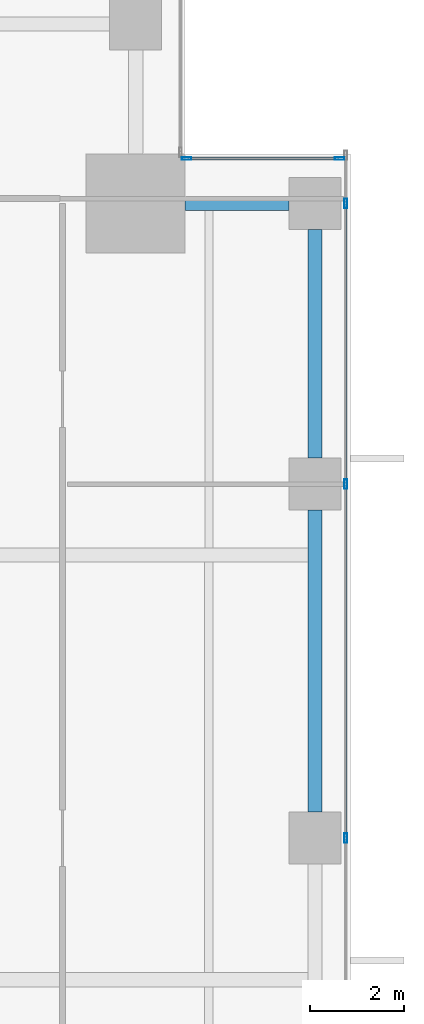
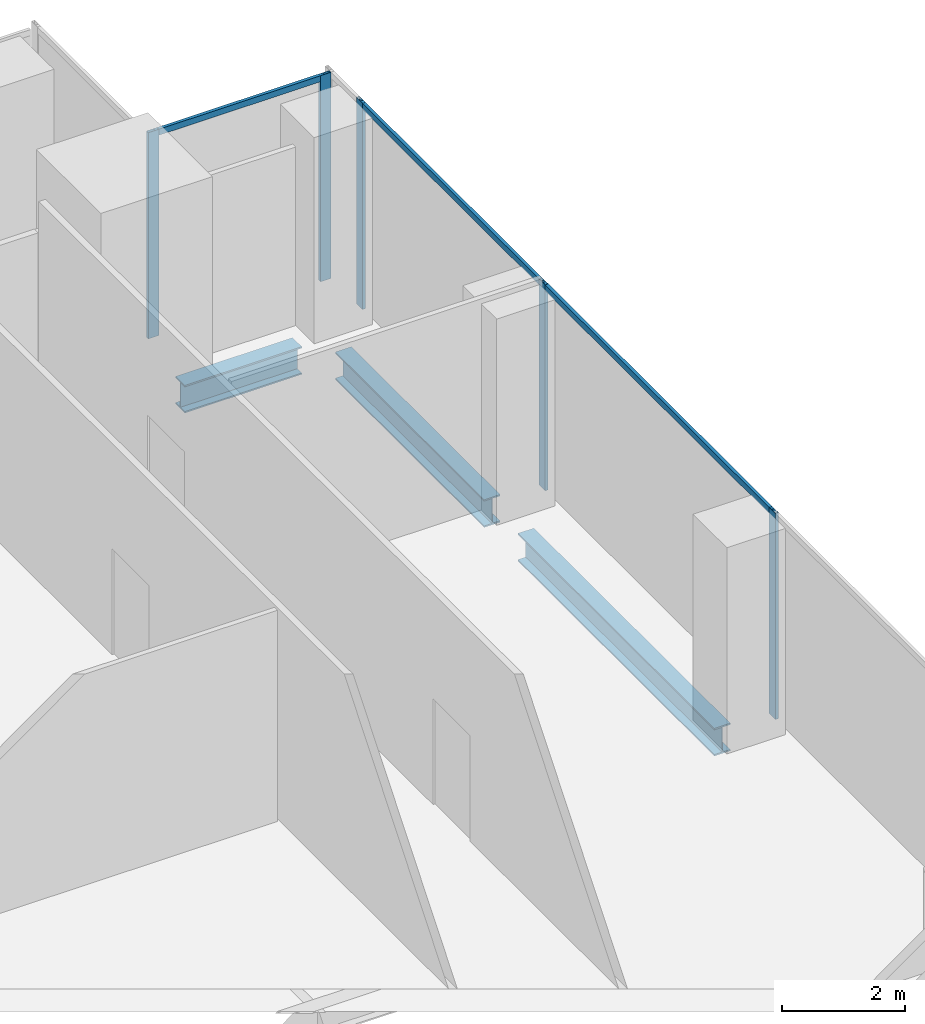
# One storey, part 19 of 34: 8 members, 3 beams, 2 elements without a shape of their own.
"""IFC4 building model written with IfcOpenShell, lengths in metres."""

import ifcopenshell
import ifcopenshell.guid

model = None  # the IFC model being written
_history = None  # IfcOwnerHistory: only IFC2X3 demands one
_inside = {}  # id of a spatial element -> (the spatial element, [elements in it])
_under = {}  # id of a project, library or spatial element -> (it, [spatial elements below it])
_declared = {}  # id of a project -> (the project, [libraries it declares])
_typed = {}  # id of a type object -> (the type object, [elements of that type])
_made_of = {}  # id of a material, layer set ... -> (it, [elements and type objects made of it])


def new_model(schema):
    """Start an empty IFC model of exactly this schema.

    Asked for "IFC4X3", IfcOpenShell would pick the latest addendum, in which some entities
    have other attributes; the version numbers below select the first issue.
    IFC2X3 requires an IfcOwnerHistory on every rooted entity: one is made here for all.
    """
    global model, _history
    if schema == "IFC4X3":
        model = ifcopenshell.file(schema_version=(4, 3, 0, 0))
    else:
        model = ifcopenshell.file(schema=schema)
    _inside.clear()
    _under.clear()
    _declared.clear()
    _typed.clear()
    _made_of.clear()
    _history = None
    if model.schema == "IFC2X3":
        org = make("IfcOrganization", Name="unknown")
        user = make(
            "IfcPersonAndOrganization",
            ThePerson=make("IfcPerson", FamilyName="unknown"),
            TheOrganization=org,
        )
        app = make(
            "IfcApplication",
            ApplicationDeveloper=org,
            Version="unknown",
            ApplicationFullName="unknown",
            ApplicationIdentifier="unknown",
        )
        _history = make(
            "IfcOwnerHistory",
            OwningUser=user,
            OwningApplication=app,
            ChangeAction="ADDED",
            CreationDate=0,
        )
    return model


def make(cls, **values):
    """One entity of the class cls with the attributes given. An attribute that is None is left unset."""
    return model.create_entity(
        cls, **{name: value for name, value in values.items() if value is not None}
    )


def rooted(cls, **values):
    """An entity with a GlobalId (a new one), such as an element, a storey or a relation."""
    return make(cls, GlobalId=ifcopenshell.guid.new(), OwnerHistory=_history, **values)


def si_unit(unit_type, name, prefix=None):
    """IfcSIUnit, for example si_unit("LENGTHUNIT", "METRE", prefix="MILLI")."""
    return make("IfcSIUnit", UnitType=unit_type, Prefix=prefix, Name=name)


def assignment(units):
    """IfcUnitAssignment: the units of a project."""
    return None if units is None else make("IfcUnitAssignment", Units=units)


def point(xyz):
    """IfcCartesianPoint."""
    return None if xyz is None else make("IfcCartesianPoint", Coordinates=xyz)


def direction(xyz):
    """IfcDirection."""
    return None if xyz is None else make("IfcDirection", DirectionRatios=xyz)


def frame(location, z_axis=None, x_axis=None):
    """IfcAxis2Placement3D, a coordinate frame: its origin and axes. An axis left out is left unset."""
    return make(
        "IfcAxis2Placement3D",
        Location=point(location),
        Axis=direction(z_axis),
        RefDirection=direction(x_axis),
    )


def frame_2d(location, x_axis=None):
    """IfcAxis2Placement2D, a coordinate frame in the plane: its origin and x axis."""
    return make(
        "IfcAxis2Placement2D", Location=point(location), RefDirection=direction(x_axis)
    )


def origin():
    """The frame at (0, 0, 0) with its axes left unset."""
    return frame((0.0, 0.0, 0.0))


def origin_2d():
    """The frame at (0, 0) in the plane with its x axis left unset."""
    return frame_2d((0.0, 0.0))


def place(relative_to, where):
    """IfcLocalPlacement: puts the frame where relative to a parent placement (None: the world)."""
    return make(
        "IfcLocalPlacement", PlacementRelTo=relative_to, RelativePlacement=where
    )


def context(
    kind, dimensions, precision=None, world=None, true_north=None, identifier=None
):
    """IfcGeometricRepresentationContext, for example the 3D "Model" context."""
    return make(
        "IfcGeometricRepresentationContext",
        ContextIdentifier=identifier,
        ContextType=kind,
        CoordinateSpaceDimension=dimensions,
        Precision=precision,
        WorldCoordinateSystem=world,
        TrueNorth=true_north,
    )


def subcontext(parent, identifier, kind, view, scale=None):
    """IfcGeometricRepresentationSubContext, for example "Body" below "Model"."""
    return make(
        "IfcGeometricRepresentationSubContext",
        ContextIdentifier=identifier,
        ContextType=kind,
        ParentContext=parent,
        TargetScale=scale,
        TargetView=view,
    )


def project(units=None, contexts=None):
    """IfcProject with its units and contexts."""
    return rooted(
        "IfcProject",
        Name="project",
        RepresentationContexts=contexts,
        UnitsInContext=assignment(units),
    )


def spatial(cls, under=None, at=None, **own):
    """A site, building, storey or space (cls), placed at a placement, below another one or the project."""
    s = rooted(cls, ObjectPlacement=at, **own)
    if under is not None:
        _under.setdefault(under.id(), (under, []))[1].append(s)
    return s


def profile(cls, at=None, kind="AREA", **sizes):
    """A parametric profile (cls). Its sizes go by their IFC names, for example OverallWidth=200.0."""
    return make(cls, ProfileType=kind, Position=at, **sizes)


def hollow_rectangle(**sizes):
    """IfcRectangleHollowProfileDef."""
    return profile("IfcRectangleHollowProfileDef", **sizes)


def i_section(**sizes):
    """IfcIShapeProfileDef."""
    return profile("IfcIShapeProfileDef", **sizes)


def extrude(swept, where, along, depth):
    """IfcExtrudedAreaSolid: the profile swept, set in the frame where, extruded along a direction by depth."""
    return make(
        "IfcExtrudedAreaSolid",
        SweptArea=swept,
        Position=where,
        ExtrudedDirection=direction(along),
        Depth=depth,
    )


def shape(context_of_items, identifier, shape_type, items):
    """IfcShapeRepresentation: the items that make up one representation, for example the "Body"."""
    return make(
        "IfcShapeRepresentation",
        ContextOfItems=context_of_items,
        RepresentationIdentifier=identifier,
        RepresentationType=shape_type,
        Items=items,
    )


def source(mapping_origin, context_of_items, identifier, shape_type, items):
    """IfcRepresentationMap: a shape defined once, which mapped items show again and again."""
    return make(
        "IfcRepresentationMap",
        MappingOrigin=mapping_origin,
        MappedRepresentation=shape(context_of_items, identifier, shape_type, items),
    )


def transform(
    local_origin,
    x_axis=None,
    y_axis=None,
    z_axis=None,
    scale=None,
    scale2=None,
    scale3=None,
    uniform=True,
):
    """IfcCartesianTransformationOperator3D, or its non-uniform kind. x_axis, y_axis, z_axis: its Axis1, 2, 3."""
    if uniform:
        return make(
            "IfcCartesianTransformationOperator3D",
            Axis1=direction(x_axis),
            Axis2=direction(y_axis),
            LocalOrigin=point(local_origin),
            Scale=scale,
            Axis3=direction(z_axis),
        )
    return make(
        "IfcCartesianTransformationOperator3DnonUniform",
        Axis1=direction(x_axis),
        Axis2=direction(y_axis),
        LocalOrigin=point(local_origin),
        Scale=scale,
        Axis3=direction(z_axis),
        Scale2=scale2,
        Scale3=scale3,
    )


def mapped(mapping_source, mapping_target):
    """IfcMappedItem: shows the shape of a source again, moved by a transform."""
    return make(
        "IfcMappedItem", MappingSource=mapping_source, MappingTarget=mapping_target
    )


def material(Name=None, Category=None):
    """IfcMaterial."""
    return make("IfcMaterial", Name=Name, Category=Category)


def material_profile(
    of_material, cross_section, Name=None, Category=None, Priority=None
):
    """IfcMaterialProfile: a cross section and its material."""
    return make(
        "IfcMaterialProfile",
        Name=Name,
        Material=of_material,
        Profile=cross_section,
        Priority=Priority,
        Category=Category,
    )


def profile_set(profiles, Name=None, composite=None):
    """IfcMaterialProfileSet."""
    return make(
        "IfcMaterialProfileSet",
        Name=Name,
        MaterialProfiles=profiles,
        CompositeProfile=composite,
    )


def made_of(thing, what):
    """Note that an element or type object is made of a material, layer set ...; save() writes the relation."""
    if what is not None:
        _made_of.setdefault(what.id(), (what, []))[1].append(thing)
    return thing


def type_object(cls, material=None, **own):
    """A type object (cls), such as IfcWallType, which elements share."""
    return made_of(rooted(cls, **own), material)


def element(
    cls,
    number,
    at=None,
    inside=None,
    cuts=None,
    type_object=None,
    material=None,
    context=None,
    identifier="Body",
    shape_type=None,
    held_by="IfcProductDefinitionShape",
    body=None,
    shapes=None,
    **own,
):
    """One element of the class cls, such as IfcWall. Its Tag is "e" and its number.

    at: its placement. inside: the storey or other place that contains it. cuts: it is an
    opening in that element (IfcRelVoidsElement). A single representation is given by context,
    identifier, shape_type and body (its items); several are given by shapes. held_by: the class
    of the entity that holds the representations. save() writes the other relations.
    """
    e = rooted(cls, Tag="e%d" % number, ObjectPlacement=at, **own)
    if body is not None:
        shapes = [shape(context, identifier, shape_type, body)]
    if shapes is not None:
        e.Representation = make(held_by, Representations=shapes)
    if inside is not None:
        _inside.setdefault(inside.id(), (inside, []))[1].append(e)
    if cuts is not None:
        rooted(
            "IfcRelVoidsElement", RelatingBuildingElement=cuts, RelatedOpeningElement=e
        )
    if type_object is not None:
        _typed.setdefault(type_object.id(), (type_object, []))[1].append(e)
    return made_of(e, material)


def aggregate(whole, parts):
    """IfcRelAggregates: a whole, such as a stair, and the parts it consists of."""
    return rooted("IfcRelAggregates", RelatingObject=whole, RelatedObjects=parts)


def save(model, path):
    """Write the relations noted so far, then the file.

    IfcRelAggregates (storeys below a building ...), IfcRelContainedInSpatialStructure (elements
    in a storey), IfcRelDefinesByType, IfcRelAssociatesMaterial and IfcRelDeclares: one each for
    every whole, place, type object, material and project.
    """
    for whole, parts in _under.values():
        aggregate(whole, parts)
    for where, things in _inside.values():
        rooted(
            "IfcRelContainedInSpatialStructure",
            RelatedElements=things,
            RelatingStructure=where,
        )
    for kind, things in _typed.values():
        rooted("IfcRelDefinesByType", RelatedObjects=things, RelatingType=kind)
    for what, things in _made_of.values():
        rooted("IfcRelAssociatesMaterial", RelatedObjects=things, RelatingMaterial=what)
    for by, libraries in _declared.values():
        rooted("IfcRelDeclares", RelatingContext=by, RelatedDefinitions=libraries)
    model.write(path)


model = new_model("IFC4")

# Units and contexts
model_context = context("Model", 3, precision=1e-05, world=origin(), true_north=direction((0.0, 1.0)))
body_context = subcontext(model_context, "Body", "Model", "MODEL_VIEW")
ifc_project = project(units=[si_unit("LENGTHUNIT", "METRE"), si_unit("AREAUNIT", "SQUARE_METRE"), si_unit("VOLUMEUNIT", "CUBIC_METRE"), si_unit("PLANEANGLEUNIT", "RADIAN"), si_unit("MASSUNIT", "GRAM", prefix="KILO")], contexts=[model_context])

# Site, building, storey
site_placement = place(None, origin())
site = spatial("IfcSite", under=ifc_project, at=site_placement, CompositionType="ELEMENT")
building_placement = place(site_placement, origin())
building = spatial("IfcBuilding", under=site, at=building_placement, Name="Khomas Fold Tower", CompositionType="ELEMENT")
storey_placement = place(building_placement, frame((0.0, 0.0, 105.89990234375)))
storey = spatial("IfcBuildingStorey", under=building, at=storey_placement, Name="L22", CompositionType="ELEMENT", Elevation=105.89990234375)

# Beams
ifc_material_1 = material(Name="Steel S355", Category="steel")
ifc_material_profile_1 = material_profile(ifc_material_1, i_section(OverallWidth=0.300048828125, OverallDepth=0.550048828125, WebThickness=0.014892578125, FlangeThickness=0.029052734375, at=origin_2d()), Name="HE 550 B")
ifc_profile_set_1 = profile_set([ifc_material_profile_1], Name="Steel S355")
beam_type = type_object("IfcBeamType", Name="HE 550 B spandrel SB2", PredefinedType="SPANDREL", material=ifc_profile_set_1)
shared_shape_1 = source(origin(), body_context, "Body", "SweptSolid", [
    extrude(i_section(OverallWidth=0.300048828125, OverallDepth=0.550048828125, WebThickness=0.014892578125, FlangeThickness=0.029052734375, at=origin_2d()), origin(), (0.0, 0.0, 1.0), 4.849853515625),
])
beam_1_placement = place(storey_placement, frame((51.75, 42.550048828125, -0.574951171875), z_axis=(0.0, 1.0, 0.0), x_axis=(-1.0, 0.0, 0.0)))
element("IfcBeam", 1, at=beam_1_placement, inside=storey, type_object=beam_type, Name="SB2", PredefinedType="SPANDREL", context=body_context, shape_type="MappedRepresentation", body=[
    mapped(shared_shape_1, transform((0.0, 0.0, 0.0))),
])
shared_shape_2 = source(origin(), body_context, "Body", "SweptSolid", [
    extrude(i_section(OverallWidth=0.300048828125, OverallDepth=0.550048828125, WebThickness=0.014892578125, FlangeThickness=0.029052734375, at=origin_2d()), origin(), (0.0, 0.0, 1.0), 6.39990234375),
])
beam_2_placement = place(storey_placement, frame((51.75, 35.050048828125, -0.574951171875), z_axis=(0.0, 1.0, 0.0), x_axis=(-1.0, 0.0, 0.0)))
element("IfcBeam", 2, at=beam_2_placement, inside=storey, type_object=beam_type, Name="SB2", PredefinedType="SPANDREL", context=body_context, shape_type="MappedRepresentation", body=[
    mapped(shared_shape_2, transform((0.0, 0.0, 0.0))),
])
shared_shape_3 = source(origin(), body_context, "Body", "SweptSolid", [
    extrude(i_section(OverallWidth=0.300048828125, OverallDepth=0.550048828125, WebThickness=0.014892578125, FlangeThickness=0.029052734375, at=origin_2d()), origin(), (0.0, 0.0, 1.0), 2.199951171875),
])
beam_3_placement = place(storey_placement, frame((49.0, 47.949951171875, -0.574951171875), z_axis=(1.0, 0.0, 0.0), x_axis=(0.0, 1.0, 0.0)))
element("IfcBeam", 3, at=beam_3_placement, inside=storey, type_object=beam_type, Name="SB2", PredefinedType="SPANDREL", context=body_context, shape_type="MappedRepresentation", body=[
    mapped(shared_shape_3, transform((0.0, 0.0, 0.0))),
])

# Curtain wall, members
ifc_material_2 = material(Name="Aluminium framed double glazing", Category="aluminium")
curtain_wall_type = type_object("IfcCurtainWallType", Name="SK-Unitised clear-glass wall, growing floors CW1", PredefinedType="NOTDEFINED", material=ifc_material_2)
curtain_wall_1_placement = place(storey_placement, origin())
curtain_wall_1 = element("IfcCurtainWall", 4, at=curtain_wall_1_placement, inside=storey, type_object=curtain_wall_type, Name="CW1 run L22 03-1", PredefinedType="NOTDEFINED")
ifc_material_3 = material(Name="Aluminium", Category="aluminium")
ifc_material_profile_2 = material_profile(ifc_material_3, hollow_rectangle(XDim=0.06005859375, YDim=0.1201171875, WallThickness=0.00390625, at=origin_2d()), Name="SK-Unitised clear-glass wall, growing floors transom CW1-T")
ifc_profile_set_2 = profile_set([ifc_material_profile_2], Name="Aluminium")
member_type_1 = type_object("IfcMemberType", Name="SK-Unitised clear-glass wall, growing floors transom CW1-T", PredefinedType="USERDEFINED", material=ifc_profile_set_2)
shared_shape_4 = source(origin(), body_context, "Body", "SweptSolid", [
    extrude(hollow_rectangle(XDim=0.06005859375, YDim=0.1201171875, WallThickness=0.00390625, at=origin_2d()), origin(), (0.0, 0.0, 1.0), 7.43994140625),
])
member_1_placement = place(storey_placement, frame((52.39990234375, 34.530029296875, 4.0400390625), z_axis=(0.0, 1.0, 0.0), x_axis=(-1.0, 0.0, 0.0)))
member_1 = element("IfcMember", 5, at=member_1_placement, type_object=member_type_1, Name="CW1 transom 3", ObjectType="TRANSOM", PredefinedType="USERDEFINED", context=body_context, shape_type="MappedRepresentation", body=[
    mapped(shared_shape_4, transform((0.0, 0.0, 0.0))),
])
ifc_material_4 = material(Name="Aluminium", Category="aluminium")
ifc_material_profile_3 = material_profile(ifc_material_4, hollow_rectangle(XDim=0.06005859375, YDim=0.199951171875, WallThickness=0.00390625, at=origin_2d()), Name="SK-Unitised clear-glass wall, growing floors mullion CW1-M")
ifc_profile_set_3 = profile_set([ifc_material_profile_3], Name="Aluminium")
member_type_2 = type_object("IfcMemberType", Name="SK-Unitised clear-glass wall, growing floors mullion CW1-M", PredefinedType="MULLION", material=ifc_profile_set_3)
shared_shape_5 = source(origin(), body_context, "Body", "SweptSolid", [
    extrude(hollow_rectangle(XDim=0.06005859375, YDim=0.199951171875, WallThickness=0.00390625, at=origin_2d()), origin(), (0.0, 0.0, 1.0), 4.10009765625),
])
member_2_placement = place(storey_placement, frame((52.39990234375, 34.5, 0.0), z_axis=(0.0, 0.0, 1.0), x_axis=(-1.0, 0.0, 0.0)))
member_2 = element("IfcMember", 6, at=member_2_placement, type_object=member_type_2, Name="CW1 mullion 3", PredefinedType="MULLION", context=body_context, shape_type="MappedRepresentation", body=[
    mapped(shared_shape_5, transform((0.0, 0.0, 0.0))),
])
member_3_placement = place(storey_placement, frame((52.39990234375, 42.0, 0.0), z_axis=(0.0, 0.0, 1.0), x_axis=(-1.0, 0.0, 0.0)))
member_3 = element("IfcMember", 7, at=member_3_placement, type_object=member_type_2, Name="CW1 mullion 4", PredefinedType="MULLION", context=body_context, shape_type="MappedRepresentation", body=[
    mapped(shared_shape_5, transform((0.0, 0.0, 0.0))),
])
member_4_placement = place(storey_placement, frame((52.39990234375, 47.949951171875, 0.0), z_axis=(0.0, 0.0, 1.0), x_axis=(-1.0, 0.0, 0.0)))
member_4 = element("IfcMember", 8, at=member_4_placement, type_object=member_type_2, Name="CW1 mullion 5", PredefinedType="MULLION", context=body_context, shape_type="MappedRepresentation", body=[
    mapped(shared_shape_5, transform((0.0, 0.0, 0.0))),
])

curtain_wall_2_placement = place(storey_placement, origin())
curtain_wall_2 = element("IfcCurtainWall", 9, at=curtain_wall_2_placement, inside=storey, type_object=curtain_wall_type, Name="CW1 corner return L22 04", PredefinedType="NOTDEFINED")
member_5_placement = place(storey_placement, frame((52.27001953125, 48.89990234375, 0.0), z_axis=(0.0, 0.0, 1.0), x_axis=(0.0, -1.0, 0.0)))
member_5 = element("IfcMember", 10, at=member_5_placement, type_object=member_type_2, Name="CW1 mullion 1", PredefinedType="MULLION", context=body_context, shape_type="MappedRepresentation", body=[
    mapped(shared_shape_5, transform((0.0, 0.0, 0.0))),
])
member_6_placement = place(storey_placement, frame((49.030029296875, 48.89990234375, 0.0), z_axis=(0.0, 0.0, 1.0), x_axis=(0.0, -1.0, 0.0)))
member_6 = element("IfcMember", 11, at=member_6_placement, type_object=member_type_2, Name="CW1 mullion 2", PredefinedType="MULLION", context=body_context, shape_type="MappedRepresentation", body=[
    mapped(shared_shape_5, transform((0.0, 0.0, 0.0))),
])

# Member
shared_shape_6 = source(origin(), body_context, "Body", "SweptSolid", [
    extrude(hollow_rectangle(XDim=0.06005859375, YDim=0.1201171875, WallThickness=0.00390625, at=origin_2d()), origin(), (0.0, 0.0, 1.0), 5.889892578125),
])
member_7_placement = place(storey_placement, frame((52.39990234375, 42.030029296875, 4.0400390625), z_axis=(0.0, 1.0, 0.0), x_axis=(-1.0, 0.0, 0.0)))
member_7 = element("IfcMember", 12, at=member_7_placement, type_object=member_type_1, Name="CW1 transom 4", ObjectType="TRANSOM", PredefinedType="USERDEFINED", context=body_context, shape_type="MappedRepresentation", body=[
    mapped(shared_shape_6, transform((0.0, 0.0, 0.0))),
])

aggregate(curtain_wall_1, [member_2, member_3, member_4, member_1, member_7])

shared_shape_7 = source(origin(), body_context, "Body", "SweptSolid", [
    extrude(hollow_rectangle(XDim=0.06005859375, YDim=0.1201171875, WallThickness=0.00390625, at=origin_2d()), origin(), (0.0, 0.0, 1.0), 3.179931640625),
])
member_8_placement = place(storey_placement, frame((52.239990234375, 48.89990234375, 4.0400390625), z_axis=(-1.0, 0.0, 0.0), x_axis=(0.0, -1.0, 0.0)))
member_8 = element("IfcMember", 13, at=member_8_placement, type_object=member_type_1, Name="CW1 transom 1", ObjectType="TRANSOM", PredefinedType="USERDEFINED", context=body_context, shape_type="MappedRepresentation", body=[
    mapped(shared_shape_7, transform((0.0, 0.0, 0.0))),
])

aggregate(curtain_wall_2, [member_5, member_6, member_8])

save(model, "model.ifc")
